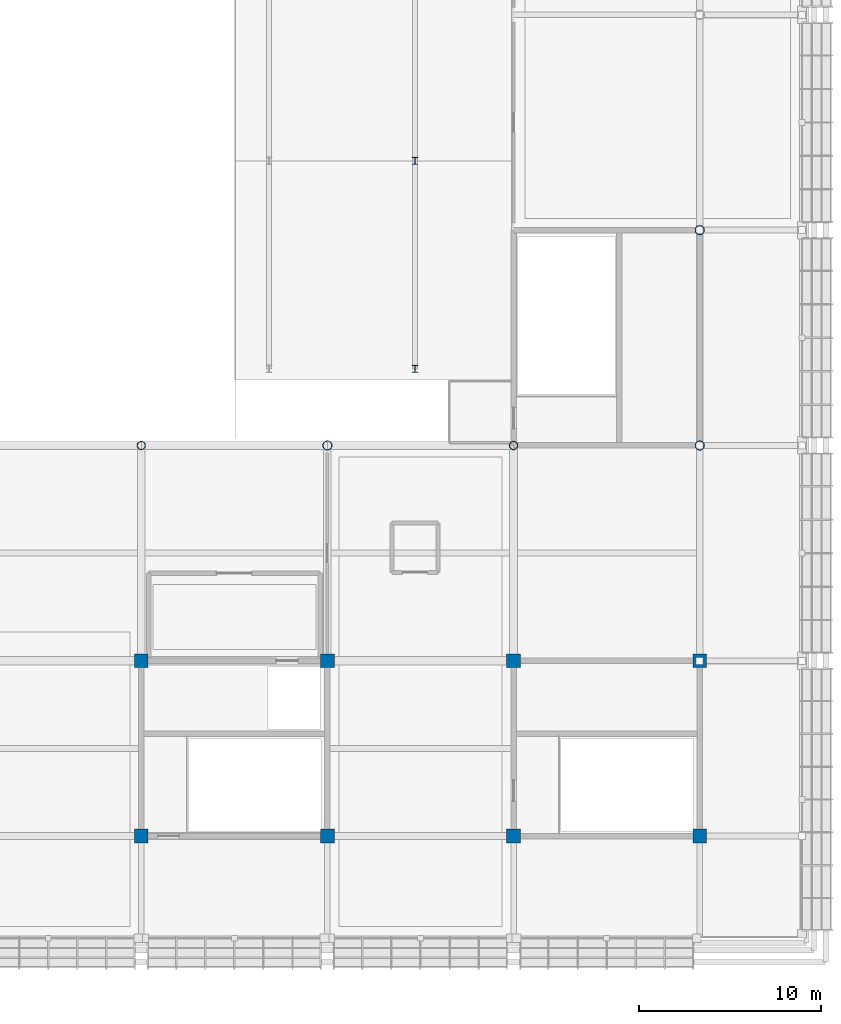
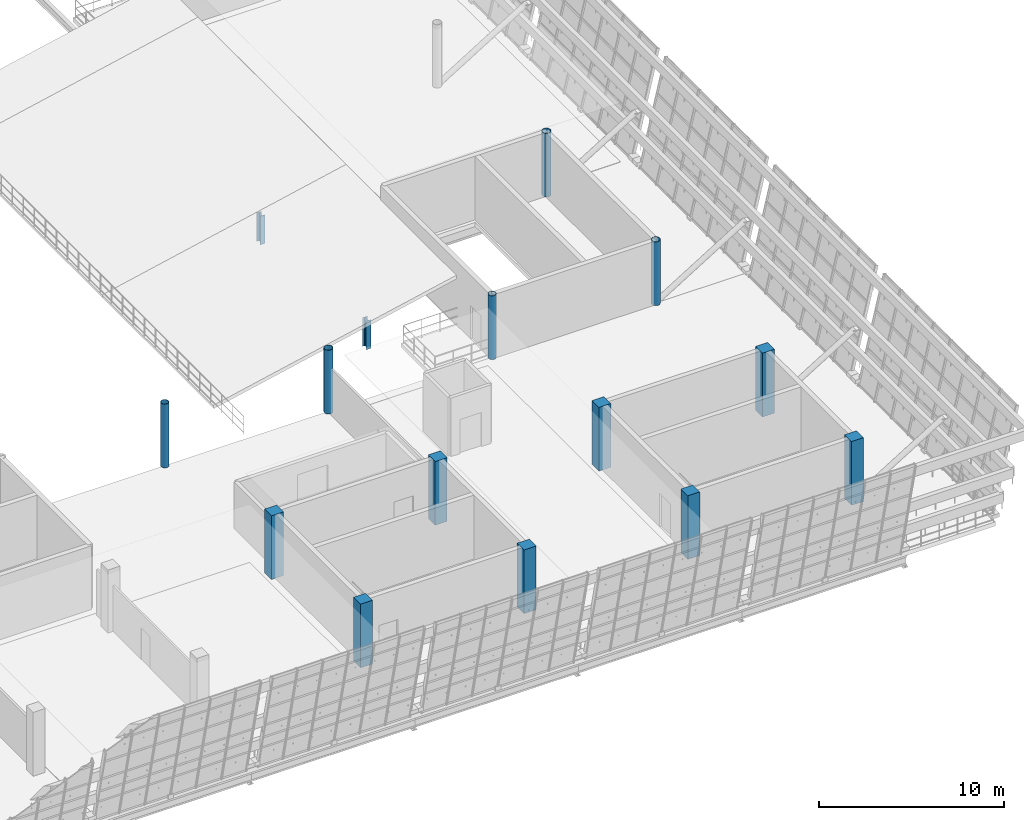
# One storey, part 11 of 157: 15 columns.
"""IFC4 building model written with IfcOpenShell, lengths in metres."""

from ifc_helpers import new_model, si_unit, direction, frame, origin, origin_2d, place, context, subcontext, project, spatial, rectangle, hollow_circle, i_section, extrude, material, material_profile, profile_set, type_object, element, save


model = new_model("IFC4")

# Units and contexts
model_context = context("Model", 3, precision=1e-05, world=origin(), true_north=direction((0.0, 1.0)))
body_context = subcontext(model_context, "Body", "Model", "MODEL_VIEW")
ifc_project = project(units=[si_unit("LENGTHUNIT", "METRE"), si_unit("AREAUNIT", "SQUARE_METRE"), si_unit("VOLUMEUNIT", "CUBIC_METRE"), si_unit("PLANEANGLEUNIT", "RADIAN"), si_unit("MASSUNIT", "GRAM", prefix="KILO")], contexts=[model_context])

# Site, building, storey
site_placement = place(None, origin())
site = spatial("IfcSite", under=ifc_project, at=site_placement, CompositionType="ELEMENT")
building_placement = place(site_placement, origin())
building = spatial("IfcBuilding", under=site, at=building_placement, Name="Brelvane Convention Centre", CompositionType="ELEMENT")
storey_placement = place(building_placement, frame((0.0, 0.0, 10.800048828125)))
storey = spatial("IfcBuildingStorey", under=building, at=storey_placement, Name="L02", CompositionType="ELEMENT", Elevation=10.800048828125)

# Columns
ifc_material_1 = material(Name="Concrete M50", Category="concrete")
ifc_material_profile_1 = material_profile(ifc_material_1, rectangle(XDim=0.75, YDim=0.75, at=origin_2d()), Name="RC 750x750")
ifc_profile_set_1 = profile_set([ifc_material_profile_1], Name="Concrete M50")
column_type_1 = type_object("IfcColumnType", Name="RC Column C-RC3 (RC 750x750)", PredefinedType="COLUMN", material=ifc_profile_set_1)
for number, where, z_axis, x_axis, name in (
    (1, (193.800048828125, 19.199951171875, 0.0), (0.0, 0.0, 1.0), (1.0, 0.0, 0.0), "Column 20-C (L02)"),
    (2, (193.800048828125, 28.800048828125, 0.0), (0.0, 0.0, 1.0), (1.0, 0.0, 0.0), "Column 20-D (L02)"),
    (3, (204.0, 19.199951171875, 0.0), (0.0, 0.0, 1.0), (1.0, 0.0, 0.0), "Column 21-C (L02)"),
    (4, (204.0, 28.800048828125, 0.0), (0.0, 0.0, 1.0), (1.0, 0.0, 0.0), "Column 21-D (L02)"),
    (5, (214.199951171875, 19.199951171875, 0.0), (0.0, 0.0, 1.0), (1.0, 0.0, 0.0), "Column 22-C (L02)"),
    (6, (214.199951171875, 28.800048828125, 0.0), (0.0, 0.0, 1.0), (1.0, 0.0, 0.0), "Column 22-D (L02)"),
    (7, (224.39990234375, 19.199951171875, 0.0), (0.0, 0.0, 1.0), (1.0, 0.0, 0.0), "Column 23-C (L02)"),
    (8, (224.39990234375, 28.800048828125, 0.0), (0.0, 0.0, 1.0), (1.0, 0.0, 0.0), "Column 23-D (L02)"),
):
    element("IfcColumn", number, at=place(storey_placement, frame(where, z_axis=z_axis, x_axis=x_axis)), inside=storey, type_object=column_type_1, Name=name, PredefinedType="COLUMN", context=body_context, shape_type="SweptSolid", body=[
        extrude(rectangle(XDim=0.75, YDim=0.75, at=origin_2d()), origin(), (0.0, 0.0, 1.0), 4.199951171875),
    ])
ifc_material_2 = material(Name="Steel E450 (450 MPa)", Category="steel")
ifc_material_profile_2 = material_profile(ifc_material_2, hollow_circle(Radius=0.25390625, WallThickness=0.02001953125, at=origin_2d()), Name="CHS 508.0x20.0")
ifc_profile_set_2 = profile_set([ifc_material_profile_2], Name="Steel E450 (450 MPa)")
column_type_2 = type_object("IfcColumnType", Name="Steel Column C-ST2 (CHS 508.0x20.0)", PredefinedType="COLUMN", material=ifc_profile_set_2)
for number, where, z_axis, x_axis, name in (
    (9, (204.0, 40.60009765625, 0.0), (0.0, 0.0, 1.0), (1.0, 0.0, 0.0), "Column 21-E (L02)"),
    (10, (224.39990234375, 40.60009765625, 0.0), (0.0, 0.0, 1.0), (1.0, 0.0, 0.0), "Column 23-E (L02)"),
    (11, (224.39990234375, 52.39990234375, 0.0), (0.0, 0.0, 1.0), (1.0, 0.0, 0.0), "Column 23-F (L02)"),
):
    element("IfcColumn", number, at=place(storey_placement, frame(where, z_axis=z_axis, x_axis=x_axis)), inside=storey, type_object=column_type_2, Name=name, PredefinedType="COLUMN", context=body_context, shape_type="SweptSolid", body=[
        extrude(hollow_circle(Radius=0.25390625, WallThickness=0.02001953125, at=origin_2d()), origin(), (0.0, 0.0, 1.0), 4.199951171875),
    ])
ifc_material_3 = material(Name="Steel E450 (450 MPa)", Category="steel")
ifc_material_profile_3 = material_profile(ifc_material_3, hollow_circle(Radius=0.228515625, WallThickness=0.02001953125, at=origin_2d()), Name="CHS 457.0x20.0")
ifc_profile_set_3 = profile_set([ifc_material_profile_3], Name="Steel E450 (450 MPa)")
column_type_3 = type_object("IfcColumnType", Name="Steel Column C-ST3 (CHS 457.0x20.0)", PredefinedType="COLUMN", material=ifc_profile_set_3)
for number, where, z_axis, x_axis, name in (
    (12, (193.800048828125, 40.60009765625, 0.0), (0.0, 0.0, 1.0), (1.0, 0.0, 0.0), "Column 20-E (L02)"),
    (13, (214.199951171875, 40.60009765625, 0.0), (0.0, 0.0, 1.0), (1.0, 0.0, 0.0), "Column 22-E (L02)"),
):
    element("IfcColumn", number, at=place(storey_placement, frame(where, z_axis=z_axis, x_axis=x_axis)), inside=storey, type_object=column_type_3, Name=name, PredefinedType="COLUMN", context=body_context, shape_type="SweptSolid", body=[
        extrude(hollow_circle(Radius=0.228515625, WallThickness=0.02001953125, at=origin_2d()), origin(), (0.0, 0.0, 1.0), 4.199951171875),
    ])
ifc_material_4 = material(Name="Steel E350 (350 MPa)", Category="steel")
ifc_material_profile_4 = material_profile(ifc_material_4, i_section(OverallWidth=0.300048828125, OverallDepth=0.39990234375, WebThickness=0.013427734375, FlangeThickness=0.02392578125, FilletRadius=0.027099609375, at=origin_2d()), Name="WPB 400x300")
ifc_profile_set_4 = profile_set([ifc_material_profile_4], Name="Steel E350 (350 MPa)")
column_type_4 = type_object("IfcColumnType", Name="Steel Column C-ST7 (WPB 400x300)", PredefinedType="COLUMN", material=ifc_profile_set_4)
for number, where, z_axis, x_axis, name in (
    (14, (208.800048828125, 44.800048828125, 0.0), (0.0, 0.0, 1.0), (1.0, 0.0, 0.0), "Plenary Balcony Tier Column L02 U2-Y44"),
    (15, (208.800048828125, 56.199951171875, 0.0), (0.0, 0.0, 1.0), (1.0, 0.0, 0.0), "Plenary Balcony Tier Column L02 U2-Y56"),
):
    element("IfcColumn", number, at=place(storey_placement, frame(where, z_axis=z_axis, x_axis=x_axis)), inside=storey, type_object=column_type_4, Name=name, PredefinedType="COLUMN", context=body_context, shape_type="SweptSolid", body=[
        extrude(i_section(OverallWidth=0.300048828125, OverallDepth=0.39990234375, WebThickness=0.013427734375, FlangeThickness=0.02392578125, FilletRadius=0.027099609375, at=origin_2d()), origin(), (0.0, 0.0, 1.0), 1.8798828125),
    ])

save(model, "model.ifc")
